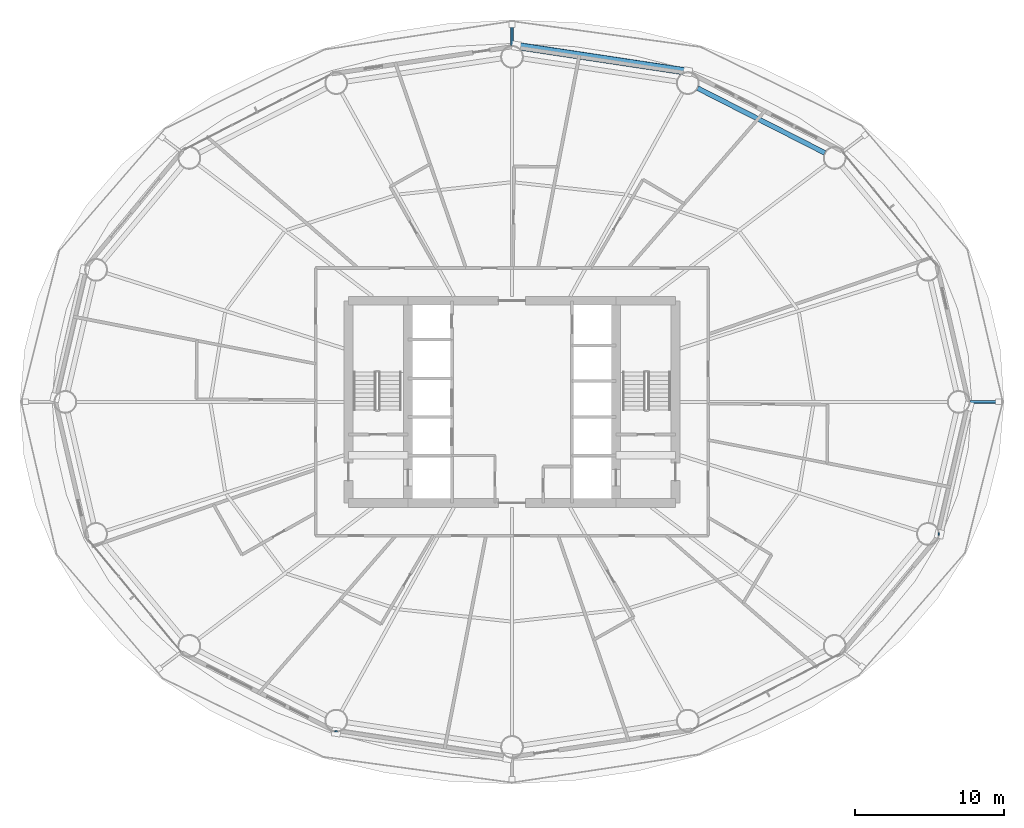
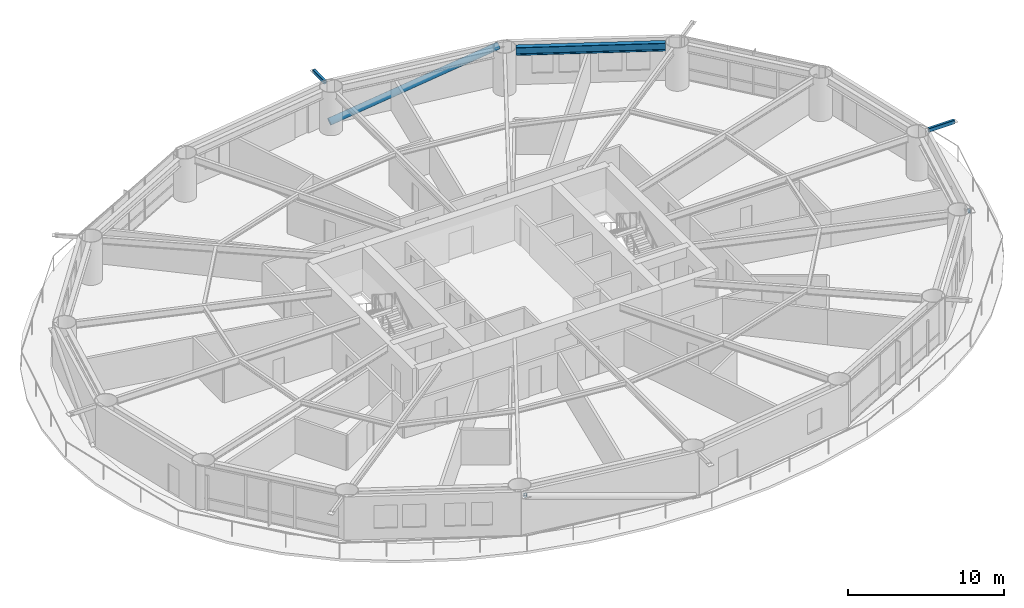
# One storey, part 15 of 26: 5 members, 1 beam.
"""IFC4 building model written with IfcOpenShell, lengths in metres."""

from ifc_helpers import new_model, si_unit, direction, frame, origin, origin_2d, place, context, subcontext, project, spatial, hollow_rectangle, hollow_circle, i_section, extrude, material, material_profile, profile_set, type_object, element, save


model = new_model("IFC4")

# Units and contexts
model_context = context("Model", 3, precision=1e-05, world=origin(), true_north=direction((0.0, 1.0)))
body_context = subcontext(model_context, "Body", "Model", "MODEL_VIEW")
ifc_project = project(units=[si_unit("LENGTHUNIT", "METRE"), si_unit("AREAUNIT", "SQUARE_METRE"), si_unit("VOLUMEUNIT", "CUBIC_METRE"), si_unit("PLANEANGLEUNIT", "RADIAN"), si_unit("MASSUNIT", "GRAM", prefix="KILO")], contexts=[model_context])

# Site, building, storey
site_placement = place(None, origin())
site = spatial("IfcSite", under=ifc_project, at=site_placement, CompositionType="ELEMENT")
building_placement = place(site_placement, origin())
building = spatial("IfcBuilding", under=site, at=building_placement, Name="Sarneth Arch Tower", CompositionType="ELEMENT")
storey_placement = place(building_placement, frame((0.0, 0.0, 71.39990234375)))
storey = spatial("IfcBuildingStorey", under=building, at=storey_placement, Name="L17", CompositionType="ELEMENT", Elevation=71.39990234375)

# Beam
ifc_material_1 = material(Name="Steel S355", Category="steel")
ifc_material_profile_1 = material_profile(ifc_material_1, i_section(OverallWidth=0.326904296875, OverallDepth=0.6220703125, WebThickness=0.015380859375, FlangeThickness=0.0244140625, FilletRadius=0.01904296875, at=origin_2d()), Name="W610x195")
ifc_profile_set_1 = profile_set([ifc_material_profile_1], Name="Steel S355")
beam_type = type_object("IfcBeamType", Name="BM-SPAN-610A", PredefinedType="SPANDREL", material=ifc_profile_set_1)
beam_placement = place(storey_placement, frame((69.0283203125, 58.7451171875, 3.069091796875), z_axis=(-0.891169106887, 0.453671271882, 0.0), x_axis=(-0.453671271882, -0.891169106887, 0.0)))
element("IfcBeam", 1, at=beam_placement, inside=storey, type_object=beam_type, Name="L17 Perimeter spandrel beam 03", PredefinedType="SPANDREL", context=body_context, shape_type="SweptSolid", body=[
    extrude(i_section(OverallWidth=0.326904296875, OverallDepth=0.6220703125, WebThickness=0.015380859375, FlangeThickness=0.0244140625, FilletRadius=0.01904296875, at=origin_2d()), origin(), (0.0, 0.0, 1.0), 9.58544921875),
])

# Members
ifc_material_2 = material(Name="Steel S355", Category="steel")
ifc_material_profile_2 = material_profile(ifc_material_2, hollow_rectangle(XDim=0.199951171875, YDim=0.300048828125, WallThickness=0.012451171875, InnerFilletRadius=0.018798828125, OuterFilletRadius=0.03125, at=origin_2d()), Name="RHS300x200x12.5")
ifc_profile_set_2 = profile_set([ifc_material_profile_2], Name="Steel S355")
member_type_1 = type_object("IfcMemberType", Name="MEM-CANT-STRUT", PredefinedType="STRUT", material=ifc_profile_set_2)
member_1_placement = place(storey_placement, frame((78.784912109375, 42.0, 3.22021484375), z_axis=(1.0, 0.0, 0.0), x_axis=(0.0, 1.0, 0.0)))
element("IfcMember", 2, at=member_1_placement, inside=storey, type_object=member_type_1, Name="L17 Balcony cantilever bracket 01", PredefinedType="STRUT", context=body_context, shape_type="SweptSolid", body=[
    extrude(hollow_rectangle(XDim=0.199951171875, YDim=0.300048828125, WallThickness=0.012451171875, InnerFilletRadius=0.018798828125, OuterFilletRadius=0.03125, at=origin_2d()), origin(), (0.0, 0.0, 1.0), 1.922119140625),
])
member_2_placement = place(storey_placement, frame((48.0, 65.949951171875, 3.22021484375), z_axis=(0.0, 1.0, 0.0), x_axis=(-1.0, 0.0, 0.0)))
element("IfcMember", 3, at=member_2_placement, inside=storey, type_object=member_type_1, Name="L17 Balcony cantilever bracket 05", PredefinedType="STRUT", context=body_context, shape_type="SweptSolid", body=[
    extrude(hollow_rectangle(XDim=0.199951171875, YDim=0.300048828125, WallThickness=0.012451171875, InnerFilletRadius=0.018798828125, OuterFilletRadius=0.03125, at=origin_2d()), origin(), (0.0, 0.0, 1.0), 1.427978515625),
])
member_3_placement = place(storey_placement, frame((36.1806640625, 19.890869140625, 3.0068359375), z_axis=(-0.002710017149, -0.999996327897, 0.0), x_axis=(0.999996327897, -0.002710017149, 0.0)))
element("IfcMember", 4, at=member_3_placement, inside=storey, type_object=member_type_1, Name="L17 Exoskeleton brace node strut 12B", PredefinedType="STRUT", context=body_context, shape_type="SweptSolid", body=[
    extrude(hollow_rectangle(XDim=0.199951171875, YDim=0.300048828125, WallThickness=0.012451171875, InnerFilletRadius=0.018798828125, OuterFilletRadius=0.03125, at=origin_2d()), origin(), (0.0, 0.0, 1.0), 0.090087890625),
])
member_4_placement = place(storey_placement, frame((76.640380859375, 33.1162109375, 3.0068359375), z_axis=(0.999972430314, -0.007425537849, 0.0), x_axis=(0.007425537849, 0.999972430314, 0.0)))
element("IfcMember", 5, at=member_4_placement, inside=storey, type_object=member_type_1, Name="L17 Exoskeleton brace node strut 16B", PredefinedType="STRUT", context=body_context, shape_type="SweptSolid", body=[
    extrude(hollow_rectangle(XDim=0.199951171875, YDim=0.300048828125, WallThickness=0.012451171875, InnerFilletRadius=0.018798828125, OuterFilletRadius=0.03125, at=origin_2d()), origin(), (0.0, 0.0, 1.0), 0.0986328125),
])
ifc_material_3 = material(Name="Steel S355", Category="steel")
ifc_material_profile_3 = material_profile(ifc_material_3, hollow_circle(Radius=0.25390625, WallThickness=0.01611328125, at=origin_2d()), Name="CHS508x16")
ifc_profile_set_3 = profile_set([ifc_material_profile_3], Name="Steel S355")
member_type_2 = type_object("IfcMemberType", Name="MEM-DIAG-BR1", PredefinedType="BRACE", material=ifc_profile_set_3)
member_5_placement = place(storey_placement, frame((48.296630859375, 65.935302734375, 0.02001953125), z_axis=(0.957875899759, -0.144316613483, 0.248287083301), x_axis=(0.1489817545, 0.988839944999, 0.0)))
element("IfcMember", 6, at=member_5_placement, inside=storey, type_object=member_type_2, Name="L17 Perimeter frame diagonal 04", PredefinedType="BRACE", context=body_context, shape_type="SweptSolid", body=[
    extrude(hollow_circle(Radius=0.25390625, WallThickness=0.01611328125, at=origin_2d()), origin(), (0.0, 0.0, 1.0), 12.02978515625),
])

save(model, "model.ifc")
